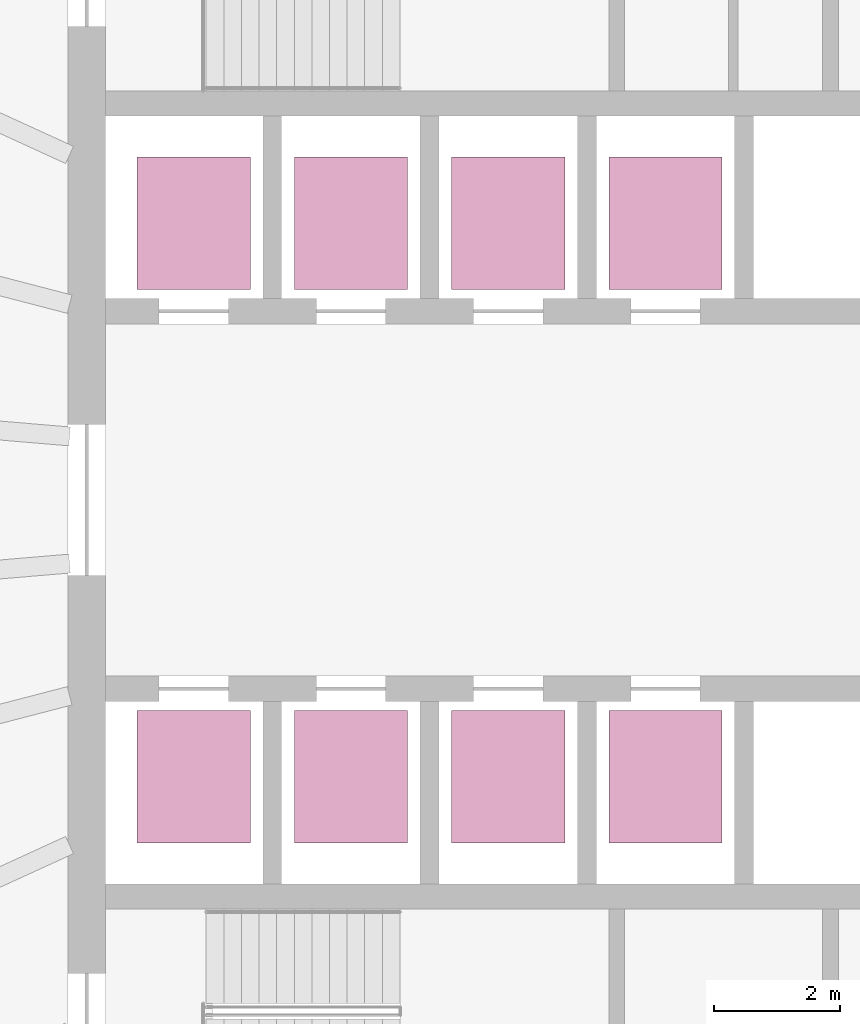
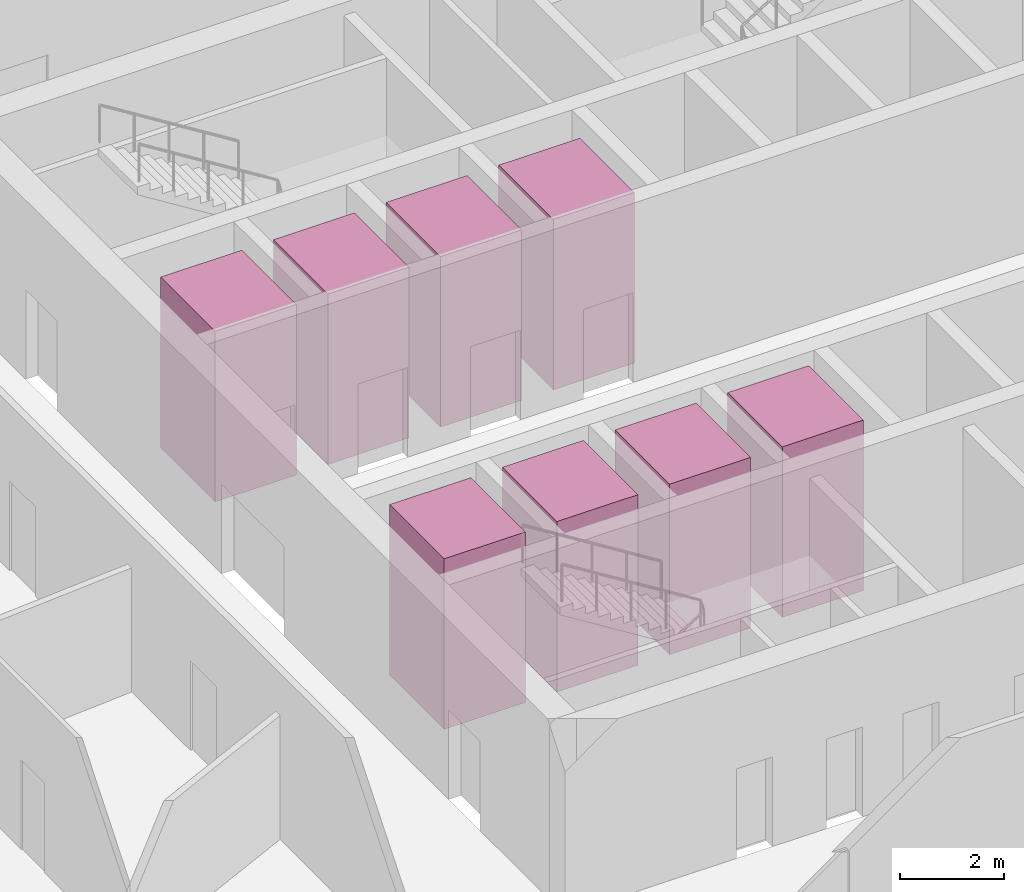
# One storey, part 10 of 10: 8 transport elements.
"""IFC4 building model written with IfcOpenShell, lengths in metres."""

from ifc_helpers import new_model, si_unit, direction, frame, origin, origin_2d, place, context, subcontext, project, spatial, rectangle, extrude, material, type_object, element, save


model = new_model("IFC4")

# Units and contexts
model_context = context("Model", 3, precision=1e-05, world=origin(), true_north=direction((0.0, 1.0)))
body_context = subcontext(model_context, "Body", "Model", "MODEL_VIEW")
ifc_project = project(units=[si_unit("LENGTHUNIT", "METRE"), si_unit("AREAUNIT", "SQUARE_METRE"), si_unit("VOLUMEUNIT", "CUBIC_METRE"), si_unit("PLANEANGLEUNIT", "RADIAN"), si_unit("MASSUNIT", "GRAM", prefix="KILO")], contexts=[model_context])

# Site, building, storey
site_placement = place(None, origin())
site = spatial("IfcSite", under=ifc_project, at=site_placement, CompositionType="ELEMENT")
building_placement = place(site_placement, origin())
building = spatial("IfcBuilding", under=site, at=building_placement, Name="Halqa Exchange Tower", CompositionType="ELEMENT")
storey_placement = place(building_placement, frame((0.0, 0.0, 117.10009765625)))
storey = spatial("IfcBuildingStorey", under=building, at=storey_placement, Name="L26", CompositionType="ELEMENT", Elevation=117.10009765625)

# Transport elements
ifc_material = material(Name="Stainless steel", Category="steel")
transport_element_type = type_object("IfcTransportElementType", Name="Low-rise passenger lift 1800 x 2100", PredefinedType="ELEVATOR", material=ifc_material)
for number, where, z_axis, x_axis, name in (
    (1, (-10.0, 4.39990234375, 0.0), (0.0, 0.0, 1.0), (1.0, 0.0, 0.0), "Low-rise passenger lift LR1"),
    (2, (-7.5, 4.39990234375, 0.0), (0.0, 0.0, 1.0), (1.0, 0.0, 0.0), "Low-rise passenger lift LR2"),
    (3, (-5.0, 4.39990234375, 0.0), (0.0, 0.0, 1.0), (1.0, 0.0, 0.0), "Low-rise passenger lift LR3"),
    (4, (-2.5, 4.39990234375, 0.0), (0.0, 0.0, 1.0), (1.0, 0.0, 0.0), "Low-rise passenger lift LR4"),
    (5, (-10.0, -4.39990234375, 0.0), (0.0, 0.0, 1.0), (1.0, 0.0, 0.0), "Low-rise passenger lift LR5"),
    (6, (-7.5, -4.39990234375, 0.0), (0.0, 0.0, 1.0), (1.0, 0.0, 0.0), "Low-rise passenger lift LR6"),
    (7, (-5.0, -4.39990234375, 0.0), (0.0, 0.0, 1.0), (1.0, 0.0, 0.0), "Low-rise passenger lift LR7"),
    (8, (-2.5, -4.39990234375, 0.0), (0.0, 0.0, 1.0), (1.0, 0.0, 0.0), "Low-rise passenger lift LR8"),
):
    element("IfcTransportElement", number, at=place(storey_placement, frame(where, z_axis=z_axis, x_axis=x_axis)), inside=storey, type_object=transport_element_type, Name=name, PredefinedType="ELEVATOR", context=body_context, shape_type="SweptSolid", body=[
        extrude(rectangle(XDim=1.800048828125, YDim=2.10009765625, at=origin_2d()), origin(), (0.0, 0.0, 1.0), 4.0),
    ])

save(model, "model.ifc")
